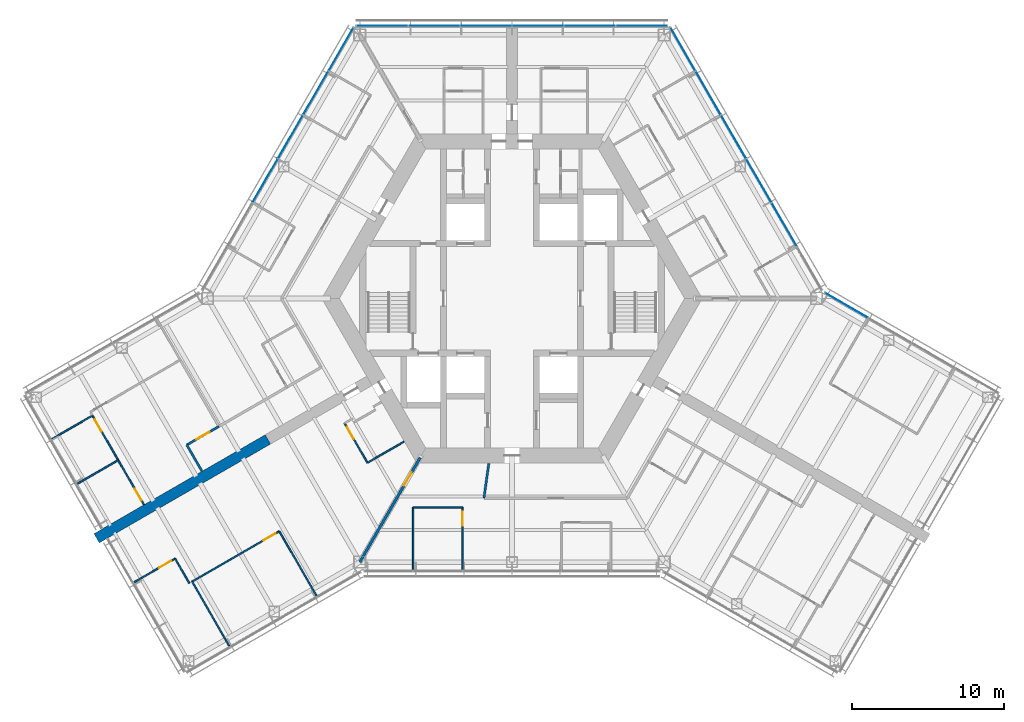
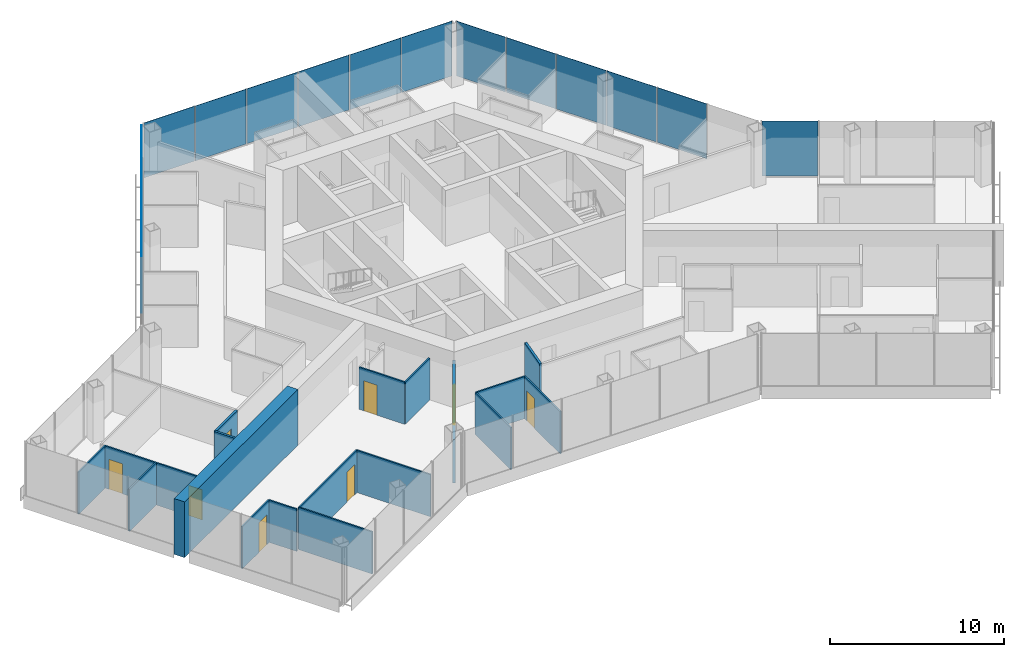
# One storey, part 11 of 19: 19 walls, 16 plates, 8 doors, 8 openings, 4 elements without a shape of their own.
"""IFC4 building model written with IfcOpenShell, lengths in metres."""

from ifc_helpers import new_model, si_unit, direction, frame, frame_2d, origin, origin_2d, place, context, subcontext, project, spatial, rectangle, extrude, material, layer, layer_set, type_object, element, fill, aggregate, save


model = new_model("IFC4")

# Units and contexts
model_context = context("Model", 3, precision=1e-05, world=origin(), true_north=direction((0.0, 1.0)))
body_context = subcontext(model_context, "Body", "Model", "MODEL_VIEW")
ifc_project = project(units=[si_unit("LENGTHUNIT", "METRE"), si_unit("AREAUNIT", "SQUARE_METRE"), si_unit("VOLUMEUNIT", "CUBIC_METRE"), si_unit("PLANEANGLEUNIT", "RADIAN"), si_unit("MASSUNIT", "GRAM", prefix="KILO")], contexts=[model_context])

# Site, building, storey
site_placement = place(None, origin())
site = spatial("IfcSite", under=ifc_project, at=site_placement, CompositionType="ELEMENT")
building_placement = place(site_placement, origin())
building = spatial("IfcBuilding", under=site, at=building_placement, Name="Kasaneha Research Tower", CompositionType="ELEMENT")
storey_placement = place(building_placement, frame((0.0, 0.0, 164.300048828125)))
storey = spatial("IfcBuildingStorey", under=building, at=storey_placement, Name="L41", CompositionType="ELEMENT", Elevation=164.300048828125)

# Curtain wall, plate
ifc_material_1 = material(Name="Glass and aluminium", Category="aluminium")
curtain_wall_type = type_object("IfcCurtainWallType", Name="Mid-rise office curtain wall", PredefinedType="USERDEFINED", material=ifc_material_1)
curtain_wall_1_placement = place(storey_placement, origin())
curtain_wall_1 = element("IfcCurtainWall", 1, at=curtain_wall_1_placement, inside=storey, type_object=curtain_wall_type, Name="CW-O2 L41 run 05a", ObjectType="UNITISED CURTAIN WALL", PredefinedType="USERDEFINED")
ifc_material_2 = material(Name="Laminated double glazing", Category="glass")
ifc_layer_1 = layer(ifc_material_2, 0.02587890625)
ifc_layer_set_1 = layer_set([ifc_layer_1], Name="CW-O2 glazed panel")
plate_type = type_object("IfcPlateType", Name="CW-O2 glazed panel", PredefinedType="CURTAIN_PANEL", material=ifc_layer_set_1)
plate_1_placement = place(storey_placement, frame((21.971923828125, -0.44580078125, 0.06005859375), z_axis=(0.0, 0.0, 1.0), x_axis=(-0.866025411464, 0.499999986699, 0.0)))
plate_1 = element("IfcPlate", 2, at=plate_1_placement, type_object=plate_type, Name="CW-O2 panel 4", PredefinedType="CURTAIN_PANEL", context=body_context, shape_type="SweptSolid", body=[
    extrude(rectangle(XDim=3.2197265625, YDim=0.02587890625, at=origin_2d()), origin(), (0.0, 0.0, 1.0), 3.840087890625),
])
aggregate(curtain_wall_1, [plate_1])

# Curtain wall, plates
curtain_wall_2_placement = place(storey_placement, origin())
curtain_wall_2 = element("IfcCurtainWall", 3, at=curtain_wall_2_placement, inside=storey, type_object=curtain_wall_type, Name="CW-O2 L41 run 06a", ObjectType="UNITISED CURTAIN WALL", PredefinedType="USERDEFINED")
plate_2_placement = place(storey_placement, frame((17.89111328125, 4.852783203125, 0.06005859375), z_axis=(0.0, 0.0, 1.0), x_axis=(-0.499999979232, 0.866025415775, 0.0)))
plate_2 = element("IfcPlate", 4, at=plate_2_placement, type_object=plate_type, Name="CW-O2 panel 2", PredefinedType="CURTAIN_PANEL", context=body_context, shape_type="SweptSolid", body=[
    extrude(rectangle(XDim=3.27099609375, YDim=0.02587890625, at=origin_2d()), origin(), (0.0, 0.0, 1.0), 3.840087890625),
])
plate_3_placement = place(storey_placement, frame((16.2255859375, 7.737548828125, 0.06005859375), z_axis=(0.0, 0.0, 1.0), x_axis=(-0.499999979232, 0.866025415775, 0.0)))
plate_3 = element("IfcPlate", 5, at=plate_3_placement, type_object=plate_type, Name="CW-O2 panel 3", PredefinedType="CURTAIN_PANEL", context=body_context, shape_type="SweptSolid", body=[
    extrude(rectangle(XDim=3.27099609375, YDim=0.02587890625, at=origin_2d()), origin(), (0.0, 0.0, 1.0), 3.840087890625),
])
plate_4_placement = place(storey_placement, frame((14.56005859375, 10.622314453125, 0.06005859375), z_axis=(0.0, 0.0, 1.0), x_axis=(-0.499999979232, 0.866025415775, 0.0)))
plate_4 = element("IfcPlate", 6, at=plate_4_placement, type_object=plate_type, Name="CW-O2 panel 4", PredefinedType="CURTAIN_PANEL", context=body_context, shape_type="SweptSolid", body=[
    extrude(rectangle(XDim=3.27099609375, YDim=0.02587890625, at=origin_2d()), origin(), (0.0, 0.0, 1.0), 3.840087890625),
])
plate_5_placement = place(storey_placement, frame((12.89453125, 13.5068359375, 0.06005859375), z_axis=(0.0, 0.0, 1.0), x_axis=(-0.499999979232, 0.866025415775, 0.0)))
plate_5 = element("IfcPlate", 7, at=plate_5_placement, type_object=plate_type, Name="CW-O2 panel 5", PredefinedType="CURTAIN_PANEL", context=body_context, shape_type="SweptSolid", body=[
    extrude(rectangle(XDim=3.27099609375, YDim=0.02587890625, at=origin_2d()), origin(), (0.0, 0.0, 1.0), 3.840087890625),
])
plate_6_placement = place(storey_placement, frame((11.236572265625, 16.378662109375, 0.06005859375), z_axis=(0.0, 0.0, 1.0), x_axis=(-0.499999979232, 0.866025415775, 0.0)))
plate_6 = element("IfcPlate", 8, at=plate_6_placement, type_object=plate_type, Name="CW-O2 panel 6", PredefinedType="CURTAIN_PANEL", context=body_context, shape_type="SweptSolid", body=[
    extrude(rectangle(XDim=3.240966796875, YDim=0.02587890625, at=origin_2d()), origin(), (0.0, 0.0, 1.0), 3.840087890625),
])
aggregate(curtain_wall_2, [plate_2, plate_3, plate_4, plate_5, plate_6])

curtain_wall_3_placement = place(storey_placement, origin())
curtain_wall_3 = element("IfcCurtainWall", 9, at=curtain_wall_3_placement, inside=storey, type_object=curtain_wall_type, Name="CW-O2 L41 run 07a", ObjectType="UNITISED CURTAIN WALL", PredefinedType="USERDEFINED")
plate_7_placement = place(storey_placement, frame((8.523681640625, 17.92041015625, 0.06005859375), z_axis=(0.0, 0.0, 1.0), x_axis=(-1.0, 0.0, 0.0)))
plate_7 = element("IfcPlate", 10, at=plate_7_placement, type_object=plate_type, Name="CW-O2 panel 1", PredefinedType="CURTAIN_PANEL", context=body_context, shape_type="SweptSolid", body=[
    extrude(rectangle(XDim=3.325439453125, YDim=0.02587890625, at=origin_2d()), origin(), (0.0, 0.0, 1.0), 3.840087890625),
])
plate_8_placement = place(storey_placement, frame((5.123291015625, 17.92041015625, 0.06005859375), z_axis=(0.0, 0.0, 1.0), x_axis=(-1.0, 0.0, 0.0)))
plate_8 = element("IfcPlate", 11, at=plate_8_placement, type_object=plate_type, Name="CW-O2 panel 2", PredefinedType="CURTAIN_PANEL", context=body_context, shape_type="SweptSolid", body=[
    extrude(rectangle(XDim=3.35546875, YDim=0.02587890625, at=origin_2d()), origin(), (0.0, 0.0, 1.0), 3.840087890625),
])
plate_9_placement = place(storey_placement, frame((1.707763671875, 17.92041015625, 0.06005859375), z_axis=(0.0, 0.0, 1.0), x_axis=(-1.0, 0.0, 0.0)))
plate_9 = element("IfcPlate", 12, at=plate_9_placement, type_object=plate_type, Name="CW-O2 panel 3", PredefinedType="CURTAIN_PANEL", context=body_context, shape_type="SweptSolid", body=[
    extrude(rectangle(XDim=3.35546875, YDim=0.02587890625, at=origin_2d()), origin(), (0.0, 0.0, 1.0), 3.840087890625),
])
plate_10_placement = place(storey_placement, frame((-1.707763671875, 17.92041015625, 0.06005859375), z_axis=(0.0, 0.0, 1.0), x_axis=(-1.0, 0.0, 0.0)))
plate_10 = element("IfcPlate", 13, at=plate_10_placement, type_object=plate_type, Name="CW-O2 panel 4", PredefinedType="CURTAIN_PANEL", context=body_context, shape_type="SweptSolid", body=[
    extrude(rectangle(XDim=3.35546875, YDim=0.02587890625, at=origin_2d()), origin(), (0.0, 0.0, 1.0), 3.840087890625),
])
plate_11_placement = place(storey_placement, frame((-5.123291015625, 17.92041015625, 0.06005859375), z_axis=(0.0, 0.0, 1.0), x_axis=(-1.0, 0.0, 0.0)))
plate_11 = element("IfcPlate", 14, at=plate_11_placement, type_object=plate_type, Name="CW-O2 panel 5", PredefinedType="CURTAIN_PANEL", context=body_context, shape_type="SweptSolid", body=[
    extrude(rectangle(XDim=3.35546875, YDim=0.02587890625, at=origin_2d()), origin(), (0.0, 0.0, 1.0), 3.840087890625),
])
plate_12_placement = place(storey_placement, frame((-8.523681640625, 17.92041015625, 0.06005859375), z_axis=(0.0, 0.0, 1.0), x_axis=(-1.0, 0.0, 0.0)))
plate_12 = element("IfcPlate", 15, at=plate_12_placement, type_object=plate_type, Name="CW-O2 panel 6", PredefinedType="CURTAIN_PANEL", context=body_context, shape_type="SweptSolid", body=[
    extrude(rectangle(XDim=3.325439453125, YDim=0.02587890625, at=origin_2d()), origin(), (0.0, 0.0, 1.0), 3.840087890625),
])
aggregate(curtain_wall_3, [plate_7, plate_8, plate_9, plate_10, plate_11, plate_12])

curtain_wall_4_placement = place(storey_placement, origin())
curtain_wall_4 = element("IfcCurtainWall", 16, at=curtain_wall_4_placement, inside=storey, type_object=curtain_wall_type, Name="CW-O2 L41 run 08a", ObjectType="UNITISED CURTAIN WALL", PredefinedType="USERDEFINED")
plate_13_placement = place(storey_placement, frame((-11.236572265625, 16.378662109375, 0.06005859375), z_axis=(0.0, 0.0, 1.0), x_axis=(-0.499999979232, -0.866025415775, 0.0)))
plate_13 = element("IfcPlate", 17, at=plate_13_placement, type_object=plate_type, Name="CW-O2 panel 1", PredefinedType="CURTAIN_PANEL", context=body_context, shape_type="SweptSolid", body=[
    extrude(rectangle(XDim=3.240966796875, YDim=0.02587890625, at=origin_2d()), origin(), (0.0, 0.0, 1.0), 3.840087890625),
])
plate_14_placement = place(storey_placement, frame((-12.89453125, 13.5068359375, 0.06005859375), z_axis=(0.0, 0.0, 1.0), x_axis=(-0.499999979232, -0.866025415775, 0.0)))
plate_14 = element("IfcPlate", 18, at=plate_14_placement, type_object=plate_type, Name="CW-O2 panel 2", PredefinedType="CURTAIN_PANEL", context=body_context, shape_type="SweptSolid", body=[
    extrude(rectangle(XDim=3.27099609375, YDim=0.02587890625, at=origin_2d()), origin(), (0.0, 0.0, 1.0), 3.840087890625),
])
plate_15_placement = place(storey_placement, frame((-14.56005859375, 10.622314453125, 0.06005859375), z_axis=(0.0, 0.0, 1.0), x_axis=(-0.499999979232, -0.866025415775, 0.0)))
plate_15 = element("IfcPlate", 19, at=plate_15_placement, type_object=plate_type, Name="CW-O2 panel 3", PredefinedType="CURTAIN_PANEL", context=body_context, shape_type="SweptSolid", body=[
    extrude(rectangle(XDim=3.27099609375, YDim=0.02587890625, at=origin_2d()), origin(), (0.0, 0.0, 1.0), 3.840087890625),
])
plate_16_placement = place(storey_placement, frame((-16.2255859375, 7.737548828125, 0.06005859375), z_axis=(0.0, 0.0, 1.0), x_axis=(-0.499999979232, -0.866025415775, 0.0)))
plate_16 = element("IfcPlate", 20, at=plate_16_placement, type_object=plate_type, Name="CW-O2 panel 4", PredefinedType="CURTAIN_PANEL", context=body_context, shape_type="SweptSolid", body=[
    extrude(rectangle(XDim=3.27099609375, YDim=0.02587890625, at=origin_2d()), origin(), (0.0, 0.0, 1.0), 3.840087890625),
])
aggregate(curtain_wall_4, [plate_13, plate_14, plate_15, plate_16])

# Walls
ifc_material_3 = material(Name="Gypsum board on steel studs, one layer each side", Category="steel")
ifc_layer_2 = layer(ifc_material_3, 0.10009765625)
ifc_layer_set_2 = layer_set([ifc_layer_2], Name="Office partition 100")
wall_type_1 = type_object("IfcWallType", Name="Office partition 100", PredefinedType="PARTITIONING", material=ifc_layer_set_2)
wall_1_placement = place(storey_placement, frame((-27.56689453125, -7.6923828125, 0.0), z_axis=(0.0, 0.0, 1.0), x_axis=(-0.86525260674, -0.501336141256, 0.0)))
element("IfcWall", 21, at=wall_1_placement, inside=storey, type_object=wall_type_1, Name="Office partition FBN09 L41", PredefinedType="PARTITIONING", context=body_context, shape_type="SweptSolid", body=[
    extrude(rectangle(XDim=3.08056640625, YDim=0.10009765625, at=frame_2d((1.540283203125, 0.0))), origin(), (0.0, 0.0, 1.0), 2.949951171875),
])
wall_2_placement = place(storey_placement, frame((-25.875732421875, -10.622802734375, 0.0), z_axis=(0.0, 0.0, 1.0), x_axis=(-0.865212673937, -0.50140505468, 0.0)))
element("IfcWall", 22, at=wall_2_placement, inside=storey, type_object=wall_type_1, Name="Office partition FBN12 L41", PredefinedType="PARTITIONING", context=body_context, shape_type="SweptSolid", body=[
    extrude(rectangle(XDim=3.10498046875, YDim=0.10009765625, at=frame_2d((1.552490234375, 0.0))), origin(), (0.0, 0.0, 1.0), 2.949951171875),
])

# Wall, opening, door
wall_3_placement = place(storey_placement, frame((-27.568603515625, -7.698974609375, 0.0), z_axis=(0.0, 0.0, 1.0), x_axis=(0.49998062928, -0.866036587186, 0.0)))
wall_3 = element("IfcWall", 23, at=wall_3_placement, inside=storey, type_object=wall_type_1, Name="Office partition FBN13 L41", PredefinedType="PARTITIONING", context=body_context, shape_type="SweptSolid", body=[
    extrude(rectangle(XDim=3.383544921875, YDim=0.10009765625, at=frame_2d((1.69189453125, 0.0))), origin(), (0.0, 0.0, 1.0), 2.949951171875),
])
opening_1_placement = place(wall_3_placement, frame((0.300048828125, 0.0, 0.0)))
opening_1 = element("IfcOpeningElement", 24, at=opening_1_placement, cuts=wall_3, Name="Opening L41-D38", PredefinedType="OPENING", context=body_context, shape_type="SweptSolid", body=[
    extrude(rectangle(XDim=0.89990234375, YDim=2.10009765625, at=frame_2d((0.449951171875, 1.050048828125))), frame((0.0, 0.06005859375, 0.0), z_axis=(0.0, -1.0, 0.0), x_axis=(1.0, 0.0, 0.0)), (0.0, 0.0, 1.0), 0.1201171875),
])
ifc_material_4 = material(Name="Timber veneer", Category="wood")
door_type_1 = type_object("IfcDoorType", Name="Office door 900x2100", OperationType="SINGLE_SWING_LEFT", PredefinedType="DOOR", material=ifc_material_4)
door_1_placement = place(opening_1_placement, origin())
door_1 = element("IfcDoor", 25, at=door_1_placement, inside=storey, type_object=door_type_1, Name="Manager's office door L41-D38", OperationType="SINGLE_SWING_LEFT", OverallHeight=2.10009765625, OverallWidth=0.89990234375, PredefinedType="DOOR", context=body_context, shape_type="SweptSolid", body=[
    extrude(rectangle(XDim=0.89990234375, YDim=2.10009765625, at=frame_2d((0.449951171875, 1.050048828125))), frame((0.0, 0.02490234375, 0.0), z_axis=(0.0, -1.0, 0.0), x_axis=(1.0, 0.0, 0.0)), (0.0, 0.0, 1.0), 0.050048828125),
])
fill(opening_1, door_1)

wall_4_placement = place(storey_placement, frame((-25.876953125, -10.629150390625, 0.0), z_axis=(0.0, 0.0, 1.0), x_axis=(0.501079190578, -0.865401435618, 0.0)))
wall_4 = element("IfcWall", 26, at=wall_4_placement, inside=storey, type_object=wall_type_1, Name="Office partition FBN14 L41", PredefinedType="PARTITIONING", context=body_context, shape_type="SweptSolid", body=[
    extrude(rectangle(XDim=3.36328125, YDim=0.10009765625, at=frame_2d((1.681640625, 0.0))), origin(), (0.0, 0.0, 1.0), 2.949951171875),
])
opening_2_placement = place(wall_4_placement, frame((2.163330078125, 0.0, 0.0)))
opening_2 = element("IfcOpeningElement", 27, at=opening_2_placement, cuts=wall_4, Name="Opening L41-D39", PredefinedType="OPENING", context=body_context, shape_type="SweptSolid", body=[
    extrude(rectangle(XDim=0.89990234375, YDim=2.10009765625, at=frame_2d((0.449951171875, 1.050048828125))), frame((0.0, 0.06005859375, 0.0), z_axis=(0.0, -1.0, 0.0), x_axis=(1.0, 0.0, 0.0)), (0.0, 0.0, 1.0), 0.1201171875),
])
door_2_placement = place(opening_2_placement, origin())
door_2 = element("IfcDoor", 28, at=door_2_placement, inside=storey, type_object=door_type_1, Name="Manager's office door L41-D39", OperationType="SINGLE_SWING_RIGHT", OverallHeight=2.10009765625, OverallWidth=0.89990234375, PredefinedType="DOOR", context=body_context, shape_type="SweptSolid", body=[
    extrude(rectangle(XDim=0.89990234375, YDim=2.10009765625, at=frame_2d((0.449951171875, 1.050048828125))), frame((0.0, 0.02490234375, 0.0), z_axis=(0.0, -1.0, 0.0), x_axis=(1.0, 0.0, 0.0)), (0.0, 0.0, 1.0), 0.050048828125),
])
fill(opening_2, door_2)

wall_5_placement = place(storey_placement, frame((-9.49951171875, -10.796142578125, 0.0), z_axis=(0.0, 0.0, 1.0), x_axis=(-0.499990139034, 0.866031096941, 0.0)))
wall_5 = element("IfcWall", 29, at=wall_5_placement, inside=storey, type_object=wall_type_1, Name="Office partition FBS03 L41", PredefinedType="PARTITIONING", context=body_context, shape_type="SweptSolid", body=[
    extrude(rectangle(XDim=3.0, YDim=0.10009765625, at=frame_2d((1.5, 0.0))), origin(), (0.0, 0.0, 1.0), 2.949951171875),
])
opening_3_placement = place(wall_5_placement, frame((1.800048828125, 0.0, 0.0)))
opening_3 = element("IfcOpeningElement", 30, at=opening_3_placement, cuts=wall_5, Name="Opening L41-D43", PredefinedType="OPENING", context=body_context, shape_type="SweptSolid", body=[
    extrude(rectangle(XDim=0.89990234375, YDim=2.10009765625, at=frame_2d((0.449951171875, 1.050048828125))), frame((0.0, 0.06005859375, 0.0), z_axis=(0.0, -1.0, 0.0), x_axis=(1.0, 0.0, 0.0)), (0.0, 0.0, 1.0), 0.1201171875),
])
door_3_placement = place(opening_3_placement, origin())
door_3 = element("IfcDoor", 31, at=door_3_placement, inside=storey, type_object=door_type_1, Name="Pantry door L41-D43", OperationType="SINGLE_SWING_RIGHT", OverallHeight=2.10009765625, OverallWidth=0.89990234375, PredefinedType="DOOR", context=body_context, shape_type="SweptSolid", body=[
    extrude(rectangle(XDim=0.89990234375, YDim=2.10009765625, at=frame_2d((0.449951171875, 1.050048828125))), frame((0.0, 0.02490234375, 0.0), z_axis=(0.0, -1.0, 0.0), x_axis=(1.0, 0.0, 0.0)), (0.0, 0.0, 1.0), 0.050048828125),
])
fill(opening_3, door_3)

# Walls
wall_6_placement = place(storey_placement, frame((-7.092041015625, -9.40625, 0.0), z_axis=(0.0, 0.0, 1.0), x_axis=(-0.86603494908, -0.499983466698, 0.0)))
element("IfcWall", 32, at=wall_6_placement, inside=storey, type_object=wall_type_1, Name="Office partition FBS05 L41", PredefinedType="PARTITIONING", context=body_context, shape_type="SweptSolid", body=[
    extrude(rectangle(XDim=2.77978515625, YDim=0.10009765625, at=frame_2d((1.389892578125, 0.0))), origin(), (0.0, 0.0, 1.0), 2.949951171875),
])
wall_7_placement = place(storey_placement, frame((-18.5849609375, -22.831298828125, 0.0), z_axis=(0.0, 0.0, 1.0), x_axis=(-0.499029341865, 0.8665850887, 0.0)))
element("IfcWall", 33, at=wall_7_placement, inside=storey, type_object=wall_type_1, Name="Office partition FBS06 L41", PredefinedType="PARTITIONING", context=body_context, shape_type="SweptSolid", body=[
    extrude(rectangle(XDim=4.880126953125, YDim=0.10009765625, at=frame_2d((2.43994140625, 0.0))), origin(), (0.0, 0.0, 1.0), 2.949951171875),
])

# Wall, opening, door
wall_8_placement = place(storey_placement, frame((-21.02294921875, -18.608642578125, 0.0), z_axis=(0.0, 0.0, 1.0), x_axis=(0.865724093718, 0.500521521571, 0.0)))
wall_8 = element("IfcWall", 34, at=wall_8_placement, inside=storey, type_object=wall_type_1, Name="Office partition FBS07 L41", PredefinedType="PARTITIONING", context=body_context, shape_type="SweptSolid", body=[
    extrude(rectangle(XDim=6.61962890625, YDim=0.10009765625, at=frame_2d((3.309814453125, 0.0))), origin(), (0.0, 0.0, 1.0), 2.949951171875),
])
opening_4_placement = place(wall_8_placement, frame((5.419677734375, 0.0, 0.0)))
opening_4 = element("IfcOpeningElement", 35, at=opening_4_placement, cuts=wall_8, Name="Opening L41-D44", PredefinedType="OPENING", context=body_context, shape_type="SweptSolid", body=[
    extrude(rectangle(XDim=0.89990234375, YDim=2.10009765625, at=frame_2d((0.449951171875, 1.050048828125))), frame((0.0, 0.06005859375, 0.0), z_axis=(0.0, -1.0, 0.0), x_axis=(1.0, 0.0, 0.0)), (0.0, 0.0, 1.0), 0.1201171875),
])
door_4_placement = place(opening_4_placement, origin())
door_4 = element("IfcDoor", 36, at=door_4_placement, inside=storey, type_object=door_type_1, Name="Meeting room door L41-D44", OperationType="SINGLE_SWING_RIGHT", OverallHeight=2.10009765625, OverallWidth=0.89990234375, PredefinedType="DOOR", context=body_context, shape_type="SweptSolid", body=[
    extrude(rectangle(XDim=0.89990234375, YDim=2.10009765625, at=frame_2d((0.449951171875, 1.050048828125))), frame((0.0, 0.02490234375, 0.0), z_axis=(0.0, -1.0, 0.0), x_axis=(1.0, 0.0, 0.0)), (0.0, 0.0, 1.0), 0.050048828125),
])
fill(opening_4, door_4)

# Wall
wall_9_placement = place(storey_placement, frame((-15.292236328125, -15.29541015625, 0.0), z_axis=(0.0, 0.0, 1.0), x_axis=(0.50002548385, -0.866010690177, 0.0)))
element("IfcWall", 37, at=wall_9_placement, inside=storey, type_object=wall_type_1, Name="Office partition FBS08 L41", PredefinedType="PARTITIONING", context=body_context, shape_type="SweptSolid", body=[
    extrude(rectangle(XDim=4.905029296875, YDim=0.10009765625, at=frame_2d((2.45263671875, 0.0))), origin(), (0.0, 0.0, 1.0), 2.949951171875),
])

# Wall, opening, door
wall_10_placement = place(storey_placement, frame((-24.8291015625, -18.64599609375, 0.0), z_axis=(0.0, 0.0, 1.0), x_axis=(0.866042875753, 0.499969736442, 0.0)))
wall_10 = element("IfcWall", 38, at=wall_10_placement, inside=storey, type_object=wall_type_1, Name="Office partition FBS09 L41", PredefinedType="PARTITIONING", context=body_context, shape_type="SweptSolid", body=[
    extrude(rectangle(XDim=3.105224609375, YDim=0.10009765625, at=frame_2d((1.552734375, 0.0))), origin(), (0.0, 0.0, 1.0), 2.949951171875),
])
opening_5_placement = place(wall_10_placement, frame((1.905029296875, 0.0, 0.0)))
opening_5 = element("IfcOpeningElement", 39, at=opening_5_placement, cuts=wall_10, Name="Opening L41-D45", PredefinedType="OPENING", context=body_context, shape_type="SweptSolid", body=[
    extrude(rectangle(XDim=0.89990234375, YDim=2.10009765625, at=frame_2d((0.449951171875, 1.050048828125))), frame((0.0, 0.06005859375, 0.0), z_axis=(0.0, -1.0, 0.0), x_axis=(1.0, 0.0, 0.0)), (0.0, 0.0, 1.0), 0.1201171875),
])
door_5_placement = place(opening_5_placement, origin())
door_5 = element("IfcDoor", 40, at=door_5_placement, inside=storey, type_object=door_type_1, Name="Project room door L41-D45", OperationType="SINGLE_SWING_RIGHT", OverallHeight=2.10009765625, OverallWidth=0.89990234375, PredefinedType="DOOR", context=body_context, shape_type="SweptSolid", body=[
    extrude(rectangle(XDim=0.89990234375, YDim=2.10009765625, at=frame_2d((0.449951171875, 1.050048828125))), frame((0.0, 0.02490234375, 0.0), z_axis=(0.0, -1.0, 0.0), x_axis=(1.0, 0.0, 0.0)), (0.0, 0.0, 1.0), 0.050048828125),
])
fill(opening_5, door_5)

# Walls
wall_11_placement = place(storey_placement, frame((-22.139892578125, -17.093505859375, 0.0), z_axis=(0.0, 0.0, 1.0), x_axis=(0.500473827914, -0.865751666226, 0.0)))
element("IfcWall", 41, at=wall_11_placement, inside=storey, type_object=wall_type_1, Name="Office partition FBS10 L41", PredefinedType="PARTITIONING", context=body_context, shape_type="SweptSolid", body=[
    extrude(rectangle(XDim=1.865478515625, YDim=0.10009765625, at=frame_2d((0.9326171875, 0.0))), origin(), (0.0, 0.0, 1.0), 2.949951171875),
])
wall_12_placement = place(storey_placement, frame((-6.492919921875, -17.800537109375, 0.0), z_axis=(0.0, 0.0, 1.0), x_axis=(0.0, 1.0, 0.0)))
element("IfcWall", 42, at=wall_12_placement, inside=storey, type_object=wall_type_1, Name="Office partition FCS17 L41", PredefinedType="PARTITIONING", context=body_context, shape_type="SweptSolid", body=[
    extrude(rectangle(XDim=4.080078125, YDim=0.10009765625, at=frame_2d((2.0400390625, 0.0))), origin(), (0.0, 0.0, 1.0), 2.949951171875),
])
wall_13_placement = place(storey_placement, frame((-6.492919921875, -13.720458984375, 0.0), z_axis=(0.0, 0.0, 1.0), x_axis=(1.0, 0.0, 0.0)))
element("IfcWall", 43, at=wall_13_placement, inside=storey, type_object=wall_type_1, Name="Office partition FCS18 L41", PredefinedType="PARTITIONING", context=body_context, shape_type="SweptSolid", body=[
    extrude(rectangle(XDim=3.24658203125, YDim=0.10009765625, at=frame_2d((1.623291015625, 0.0))), origin(), (0.0, 0.0, 1.0), 2.949951171875),
])

# Wall, opening, door
wall_14_placement = place(storey_placement, frame((-3.246337890625, -13.720458984375, 0.0), z_axis=(0.0, 0.0, 1.0), x_axis=(0.0, -1.0, 0.0)))
wall_14 = element("IfcWall", 44, at=wall_14_placement, inside=storey, type_object=wall_type_1, Name="Office partition FCS19 L41", PredefinedType="PARTITIONING", context=body_context, shape_type="SweptSolid", body=[
    extrude(rectangle(XDim=4.130126953125, YDim=0.10009765625, at=frame_2d((2.06494140625, 0.0))), origin(), (0.0, 0.0, 1.0), 2.949951171875),
])
opening_6_placement = place(wall_14_placement, frame((0.300048828125, 0.0, 0.0)))
opening_6 = element("IfcOpeningElement", 45, at=opening_6_placement, cuts=wall_14, Name="Opening L41-D53", PredefinedType="OPENING", context=body_context, shape_type="SweptSolid", body=[
    extrude(rectangle(XDim=0.89990234375, YDim=2.10009765625, at=frame_2d((0.449951171875, 1.050048828125))), frame((0.0, 0.06005859375, 0.0), z_axis=(0.0, -1.0, 0.0), x_axis=(1.0, 0.0, 0.0)), (0.0, 0.0, 1.0), 0.1201171875),
])
door_6_placement = place(opening_6_placement, origin())
door_6 = element("IfcDoor", 46, at=door_6_placement, inside=storey, type_object=door_type_1, Name="Manager's office door L41-D53", OperationType="SINGLE_SWING_LEFT", OverallHeight=2.10009765625, OverallWidth=0.89990234375, PredefinedType="DOOR", context=body_context, shape_type="SweptSolid", body=[
    extrude(rectangle(XDim=0.89990234375, YDim=2.10009765625, at=frame_2d((0.449951171875, 1.050048828125))), frame((0.0, 0.02490234375, 0.0), z_axis=(0.0, -1.0, 0.0), x_axis=(1.0, 0.0, 0.0)), (0.0, 0.0, 1.0), 0.050048828125),
])
fill(opening_6, door_6)

# Wall
ifc_material_5 = material(Name="Concrete Fc70", Category="concrete")
ifc_layer_3 = layer(ifc_material_5, 0.699951171875)
ifc_layer_set_3 = layer_set([ifc_layer_3], Name="Spine wall 700 Fc70")
wall_type_2 = type_object("IfcWallType", Name="Spine wall 700 Fc70", PredefinedType="SHEAR", material=ifc_layer_set_3)
wall_15_placement = place(storey_placement, frame((-16.039306640625, -9.26025390625, 0.0), z_axis=(0.0, 0.0, 1.0), x_axis=(-0.866024837091, -0.50000098154, 0.0)))
element("IfcWall", 47, at=wall_15_placement, inside=storey, type_object=wall_type_2, Name="Spine wall B wing L41", PredefinedType="SHEAR", context=body_context, shape_type="SweptSolid", body=[
    extrude(rectangle(XDim=13.0, YDim=0.699951171875, at=frame_2d((6.5, 0.0))), origin(), (0.0, 0.0, 1.0), 3.89990234375),
])

# Wall, opening, door
ifc_material_6 = material(Name="Gypsum board on steel studs, two layers each side", Category="steel")
ifc_layer_4 = layer(ifc_material_6, 0.14990234375)
ifc_layer_set_4 = layer_set([ifc_layer_4], Name="Suite partition 150")
wall_type_3 = type_object("IfcWallType", Name="Suite partition 150", PredefinedType="PARTITIONING", material=ifc_layer_set_4)
wall_16_placement = place(storey_placement, frame((-21.37109375, -9.625, 0.0), z_axis=(0.0, 0.0, 1.0), x_axis=(0.866043624834, 0.499968438888, 0.0)))
wall_16 = element("IfcWall", 48, at=wall_16_placement, inside=storey, type_object=wall_type_3, Name="Suite partition FBN07 L41", PredefinedType="PARTITIONING", context=body_context, shape_type="SweptSolid", body=[
    extrude(rectangle(XDim=2.434326171875, YDim=0.14990234375, at=frame_2d((1.21728515625, 0.0))), origin(), (0.0, 0.0, 1.0), 2.949951171875),
])
opening_7_placement = place(wall_16_placement, frame((0.71728515625, 0.0, 0.0)))
opening_7 = element("IfcOpeningElement", 49, at=opening_7_placement, cuts=wall_16, Name="Opening L41-D36", PredefinedType="OPENING", context=body_context, shape_type="SweptSolid", body=[
    extrude(rectangle(XDim=1.0, YDim=2.10009765625, at=frame_2d((0.5, 1.050048828125))), frame((0.0, 0.0849609375, 0.0), z_axis=(0.0, -1.0, 0.0), x_axis=(1.0, 0.0, 0.0)), (0.0, 0.0, 1.0), 0.169921875),
])
ifc_material_7 = material(Name="Steel", Category="steel")
door_type_2 = type_object("IfcDoorType", Name="Suite entrance door FD60 1000x2100", OperationType="NOTDEFINED", PredefinedType="DOOR", material=ifc_material_7)
door_7_placement = place(opening_7_placement, origin())
door_7 = element("IfcDoor", 50, at=door_7_placement, inside=storey, type_object=door_type_2, Name="Suite entrance door L41-D36", OperationType="SINGLE_SWING_LEFT", OverallHeight=2.10009765625, OverallWidth=1.0, PredefinedType="DOOR", context=body_context, shape_type="SweptSolid", body=[
    extrude(rectangle(XDim=1.0, YDim=2.10009765625, at=frame_2d((0.5, 1.050048828125))), frame((0.0, 0.02490234375, 0.0), z_axis=(0.0, -1.0, 0.0), x_axis=(1.0, 0.0, 0.0)), (0.0, 0.0, 1.0), 0.050048828125),
])
fill(opening_7, door_7)

# Walls
wall_17_placement = place(storey_placement, frame((-20.381103515625, -11.33984375, 0.0), z_axis=(0.0, 0.0, 1.0), x_axis=(-0.499971491109, 0.866041862775, 0.0)))
element("IfcWall", 51, at=wall_17_placement, inside=storey, type_object=wall_type_3, Name="Suite partition FBN08 L41", PredefinedType="PARTITIONING", context=body_context, shape_type="SweptSolid", body=[
    extrude(rectangle(XDim=1.97998046875, YDim=0.14990234375, at=frame_2d((0.989990234375, 0.0))), origin(), (0.0, 0.0, 1.0), 2.949951171875),
])
wall_18_placement = place(storey_placement, frame((-1.844482421875, -13.125, 0.0), z_axis=(0.0, 0.0, 1.0), x_axis=(0.139119980631, 0.990275532864, 0.0)))
element("IfcWall", 52, at=wall_18_placement, inside=storey, type_object=wall_type_3, Name="Suite partition FCS03 L41", PredefinedType="PARTITIONING", context=body_context, shape_type="SweptSolid", body=[
    extrude(rectangle(XDim=2.302490234375, YDim=0.14990234375, at=frame_2d((1.1513671875, 0.0))), origin(), (0.0, 0.0, 1.0), 2.949951171875),
])

# Wall, opening, door
ifc_material_8 = material(Name="Gypsum board on steel studs, two layers each side", Category="steel")
ifc_layer_5 = layer(ifc_material_8, 0.175048828125)
ifc_layer_set_5 = layer_set([ifc_layer_5], Name="Tenancy fire partition 175")
wall_type_4 = type_object("IfcWallType", Name="Tenancy fire partition 175", PredefinedType="PARTITIONING", material=ifc_layer_set_5)
wall_19_placement = place(storey_placement, frame((-6.034912109375, -10.45263671875, 0.0), z_axis=(0.0, 0.0, 1.0), x_axis=(-0.499989830942, -0.866031274813, 0.0)))
wall_19 = element("IfcWall", 53, at=wall_19_placement, inside=storey, type_object=wall_type_4, Name="Tenancy fire partition T240 L41", PredefinedType="PARTITIONING", context=body_context, shape_type="SweptSolid", body=[
    extrude(rectangle(XDim=7.930419921875, YDim=0.175048828125, at=frame_2d((3.96533203125, 0.0))), origin(), (0.0, 0.0, 1.0), 3.050048828125),
])
opening_8_placement = place(wall_19_placement, frame((1.1298828125, 0.0, 0.0)))
opening_8 = element("IfcOpeningElement", 54, at=opening_8_placement, cuts=wall_19, Name="Opening L41-D26", PredefinedType="OPENING", context=body_context, shape_type="SweptSolid", body=[
    extrude(rectangle(XDim=1.0, YDim=2.10009765625, at=frame_2d((0.5, 1.050048828125))), frame((0.0, 0.09765625, 0.0), z_axis=(0.0, -1.0, 0.0), x_axis=(1.0, 0.0, 0.0)), (0.0, 0.0, 1.0), 0.195068359375),
])
door_8_placement = place(opening_8_placement, origin())
door_8 = element("IfcDoor", 55, at=door_8_placement, inside=storey, type_object=door_type_2, Name="Connecting door L41-D26", OperationType="SINGLE_SWING_LEFT", OverallHeight=2.10009765625, OverallWidth=1.0, PredefinedType="DOOR", context=body_context, shape_type="SweptSolid", body=[
    extrude(rectangle(XDim=1.0, YDim=2.10009765625, at=frame_2d((0.5, 1.050048828125))), frame((0.0, 0.02490234375, 0.0), z_axis=(0.0, -1.0, 0.0), x_axis=(1.0, 0.0, 0.0)), (0.0, 0.0, 1.0), 0.050048828125),
])
fill(opening_8, door_8)

save(model, "model.ifc")
